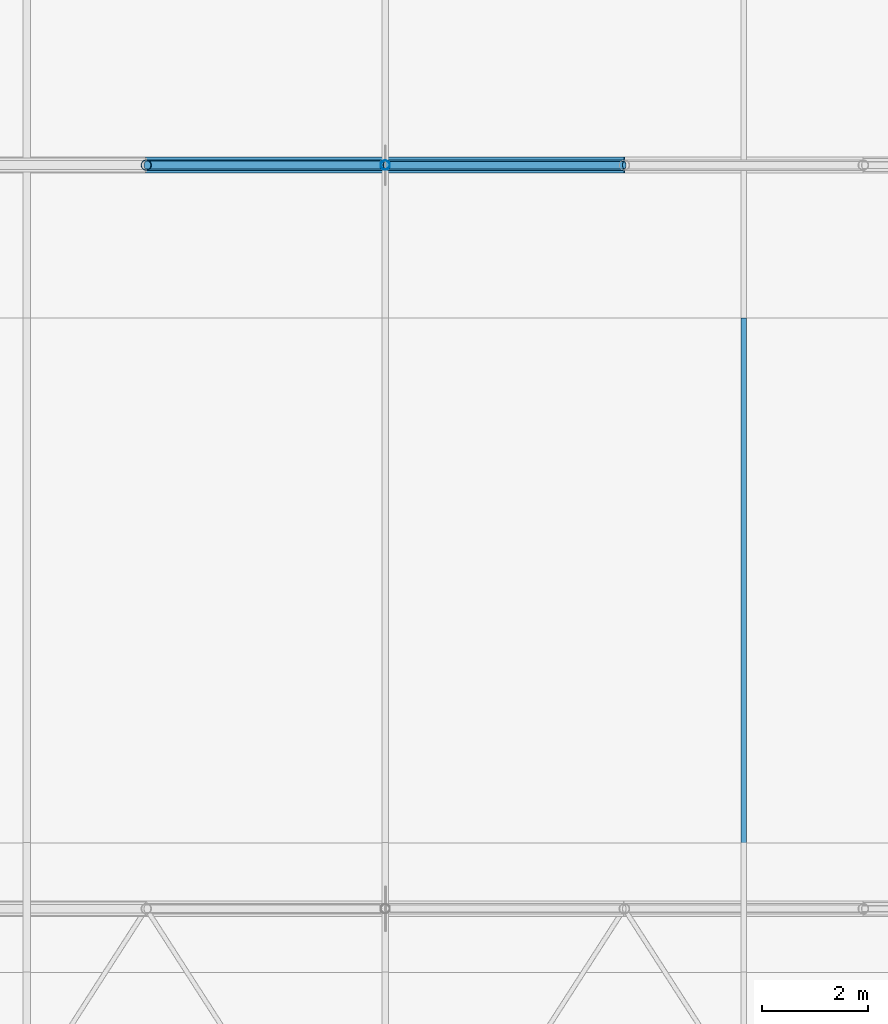
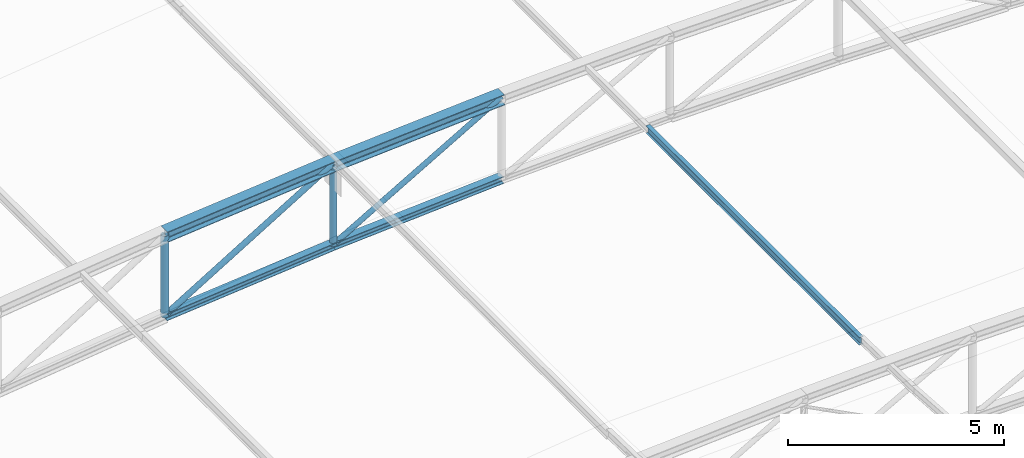
# One storey, part 160 of 262: 9 members.
"""IFC4 building model written with IfcOpenShell, lengths in metres."""

from ifc_helpers import new_model, si_unit, derived_unit, direction, frame, origin, origin_2d, place, context, subcontext, project, spatial, hollow_circle, i_section, extrude, material, material_profile, profile_set, type_object, element, save


model = new_model("IFC4")

# Units and contexts
model_context = context("Model", 3, precision=1e-05, world=origin(), true_north=direction((0.0, 1.0)))
body_context = subcontext(model_context, "Body", "Model", "MODEL_VIEW")
ifc_project = project(units=[si_unit("LENGTHUNIT", "METRE"), si_unit("AREAUNIT", "SQUARE_METRE"), si_unit("VOLUMEUNIT", "CUBIC_METRE"), si_unit("PLANEANGLEUNIT", "RADIAN"), si_unit("MASSUNIT", "GRAM", prefix="KILO"), derived_unit("THERMALTRANSMITTANCEUNIT", [(si_unit("POWERUNIT", "WATT"), 1), (si_unit("LENGTHUNIT", "METRE"), -2), (si_unit("THERMODYNAMICTEMPERATUREUNIT", "KELVIN"), -1)])], contexts=[model_context])

# Site, building, storey
site_placement = place(None, origin())
site = spatial("IfcSite", under=ifc_project, at=site_placement, CompositionType="ELEMENT")
building_placement = place(site_placement, origin())
building = spatial("IfcBuilding", under=site, at=building_placement, Name="Almenara Railside Exhibition Hall", CompositionType="ELEMENT")
storey_placement = place(building_placement, frame((0.0, 0.0, 21.699951171875)))
storey = spatial("IfcBuildingStorey", under=building, at=storey_placement, Name="RF", CompositionType="ELEMENT", Elevation=21.699951171875)

# Members
ifc_material = material(Name="Structural steel S355JR", Category="steel")
ifc_material_profile_1 = material_profile(ifc_material, i_section(OverallWidth=0.300048828125, OverallDepth=0.300048828125, WebThickness=0.010986328125, FlangeThickness=0.01904296875, FilletRadius=0.027099609375, at=origin_2d()), Name="HEB 300")
ifc_profile_set_1 = profile_set([ifc_material_profile_1], Name="Structural steel S355JR")
member_type_1 = type_object("IfcMemberType", Name="Arched Inner Top Chord HEB 300 S355JR", PredefinedType="CHORD", material=ifc_profile_set_1)
member_1_placement = place(storey_placement, frame((147.0, 76.0, -6.07763671875), z_axis=(0.995512933083, 0.0, 0.094625578275), x_axis=(0.0, 1.0, 0.0)))
element("IfcMember", 1, at=member_1_placement, inside=storey, type_object=member_type_1, Name="MEM-TC-V2-03-02", PredefinedType="CHORD", context=body_context, shape_type="SweptSolid", body=[
    extrude(i_section(OverallWidth=0.300048828125, OverallDepth=0.300048828125, WebThickness=0.010986328125, FlangeThickness=0.01904296875, FilletRadius=0.027099609375, at=origin_2d()), origin(), (0.0, 0.0, 1.0), 4.520263671875),
])
member_2_placement = place(storey_placement, frame((151.5, 76.0, -5.64990234375), z_axis=(0.997704684283, 0.0, 0.067715308162), x_axis=(0.0, 1.0, 0.0)))
element("IfcMember", 2, at=member_2_placement, inside=storey, type_object=member_type_1, Name="MEM-TC-V2-03-03", PredefinedType="CHORD", context=body_context, shape_type="SweptSolid", body=[
    extrude(i_section(OverallWidth=0.300048828125, OverallDepth=0.300048828125, WebThickness=0.010986328125, FlangeThickness=0.01904296875, FilletRadius=0.027099609375, at=origin_2d()), origin(), (0.0, 0.0, 1.0), 4.51025390625),
])
ifc_material_profile_2 = material_profile(ifc_material, i_section(OverallWidth=0.199951171875, OverallDepth=0.199951171875, WebThickness=0.009033203125, FlangeThickness=0.014892578125, FilletRadius=0.01806640625, at=origin_2d()), Name="HEB 200")
ifc_profile_set_2 = profile_set([ifc_material_profile_2], Name="Structural steel S355JR")
member_type_2 = type_object("IfcMemberType", Name="Canopy Collar Chord HEB 200 S355JR", PredefinedType="CHORD", material=ifc_profile_set_2)
member_3_placement = place(storey_placement, frame((147.0, 76.0, -8.377685546875), z_axis=(0.995512933083, 0.0, 0.094625578275), x_axis=(0.0, 1.0, 0.0)))
element("IfcMember", 3, at=member_3_placement, inside=storey, type_object=member_type_2, Name="MEM-BC-V2-03-02", PredefinedType="CHORD", context=body_context, shape_type="SweptSolid", body=[
    extrude(i_section(OverallWidth=0.199951171875, OverallDepth=0.199951171875, WebThickness=0.009033203125, FlangeThickness=0.014892578125, FilletRadius=0.01806640625, at=origin_2d()), origin(), (0.0, 0.0, 1.0), 4.520263671875),
])
member_4_placement = place(storey_placement, frame((151.5, 76.0, -7.949951171875), z_axis=(0.997701025897, 0.0, 0.067769188608), x_axis=(0.0, 1.0, 0.0)))
element("IfcMember", 4, at=member_4_placement, inside=storey, type_object=member_type_2, Name="MEM-BC-V2-03-03", PredefinedType="CHORD", context=body_context, shape_type="SweptSolid", body=[
    extrude(i_section(OverallWidth=0.199951171875, OverallDepth=0.199951171875, WebThickness=0.009033203125, FlangeThickness=0.014892578125, FilletRadius=0.01806640625, at=origin_2d()), origin(), (0.0, 0.0, 1.0), 4.51025390625),
])
ifc_material_profile_3 = material_profile(ifc_material, i_section(OverallWidth=0.110107421875, OverallDepth=0.219970703125, WebThickness=0.005859375, FlangeThickness=0.00927734375, FilletRadius=0.011962890625, at=origin_2d()), Name="IPE 220")
ifc_profile_set_3 = profile_set([ifc_material_profile_3], Name="Structural steel S355JR")
member_type_3 = type_object("IfcMemberType", Name="Heavy Hall Roof Purlin IPE 220 S355JR", PredefinedType="PURLIN", material=ifc_profile_set_3)
member_5_placement = place(storey_placement, frame((158.25, 63.240478515625, -5.294677734375), z_axis=(0.0, 1.0, 0.0), x_axis=(-1.0, 0.0, 0.0)))
element("IfcMember", 5, at=member_5_placement, inside=storey, type_object=member_type_3, Name="MEM-PR-V2-PR-IPE220-03-12", PredefinedType="PURLIN", context=body_context, shape_type="SweptSolid", body=[
    extrude(i_section(OverallWidth=0.110107421875, OverallDepth=0.219970703125, WebThickness=0.005859375, FlangeThickness=0.00927734375, FilletRadius=0.011962890625, at=origin_2d()), origin(), (0.0, 0.0, 1.0), 9.879638671875),
])
ifc_material_profile_4 = material_profile(ifc_material, hollow_circle(Radius=0.06982421875, WallThickness=0.0048828125, at=origin_2d()), Name="CHS 139.7x5")
ifc_profile_set_4 = profile_set([ifc_material_profile_4], Name="Structural steel S355JR")
member_type_4 = type_object("IfcMemberType", Name="Truss Inner Diagonal CHS 139.7x5 S355JR", PredefinedType="BRACE", material=ifc_profile_set_4)
member_6_placement = place(storey_placement, frame((151.5, 76.0, -7.949951171875), z_axis=(0.865409140876, 0.0, 0.501065882782), x_axis=(0.0, 1.0, 0.0)))
element("IfcMember", 6, at=member_6_placement, inside=storey, type_object=member_type_4, Name="MEM-TD-V2-03-03", PredefinedType="BRACE", context=body_context, shape_type="SweptSolid", body=[
    extrude(hollow_circle(Radius=0.06982421875, WallThickness=0.0048828125, at=origin_2d()), origin(), (0.0, 0.0, 1.0), 5.199951171875),
])
ifc_material_profile_5 = material_profile(ifc_material, hollow_circle(Radius=0.076171875, WallThickness=0.0048828125, at=origin_2d()), Name="CHS 152.4x5")
ifc_profile_set_5 = profile_set([ifc_material_profile_5], Name="Structural steel S355JR")
member_type_5 = type_object("IfcMemberType", Name="Truss Mid Diagonal CHS 152.4x5 S355JR", PredefinedType="BRACE", material=ifc_profile_set_5)
member_7_placement = place(storey_placement, frame((147.0, 76.0, -8.377685546875), z_axis=(0.855154829777, 0.0, 0.518372662386), x_axis=(0.0, 1.0, 0.0)))
element("IfcMember", 7, at=member_7_placement, inside=storey, type_object=member_type_5, Name="MEM-TD-V2-03-02", PredefinedType="BRACE", context=body_context, shape_type="SweptSolid", body=[
    extrude(hollow_circle(Radius=0.076171875, WallThickness=0.0048828125, at=origin_2d()), origin(), (0.0, 0.0, 1.0), 5.26220703125),
])
ifc_material_profile_6 = material_profile(ifc_material, hollow_circle(Radius=0.0888671875, WallThickness=0.006103515625, at=origin_2d()), Name="CHS 177.8x6")
ifc_profile_set_6 = profile_set([ifc_material_profile_6], Name="Structural steel S355JR")
member_type_6 = type_object("IfcMemberType", Name="Truss Quarter Vertical Strut CHS 177.8x6 S355JR", PredefinedType="BRACE", material=ifc_profile_set_6)
member_8_placement = place(storey_placement, frame((151.5, 76.0, -7.949951171875), z_axis=(0.0, 0.0, 1.0), x_axis=(1.0, 0.0, 0.0)))
element("IfcMember", 8, at=member_8_placement, inside=storey, type_object=member_type_6, Name="MEM-TV-V2-03-03", PredefinedType="BRACE", context=body_context, shape_type="SweptSolid", body=[
    extrude(hollow_circle(Radius=0.0888671875, WallThickness=0.006103515625, at=origin_2d()), origin(), (0.0, 0.0, 1.0), 2.300048828125),
])
ifc_material_profile_7 = material_profile(ifc_material, hollow_circle(Radius=0.096923828125, WallThickness=0.00634765625, at=origin_2d()), Name="CHS 193.7x6.3")
ifc_profile_set_7 = profile_set([ifc_material_profile_7], Name="Structural steel S355JR")
member_type_7 = type_object("IfcMemberType", Name="Truss Standard Vertical Strut CHS 193.7x6.3 S355JR", PredefinedType="BRACE", material=ifc_profile_set_7)
member_9_placement = place(storey_placement, frame((147.0, 76.0, -8.377685546875), z_axis=(0.0, 0.0, 1.0), x_axis=(1.0, 0.0, 0.0)))
element("IfcMember", 9, at=member_9_placement, inside=storey, type_object=member_type_7, Name="MEM-TV-V2-03-02", PredefinedType="BRACE", context=body_context, shape_type="SweptSolid", body=[
    extrude(hollow_circle(Radius=0.096923828125, WallThickness=0.00634765625, at=origin_2d()), origin(), (0.0, 0.0, 1.0), 2.300048828125),
])

save(model, "model.ifc")
